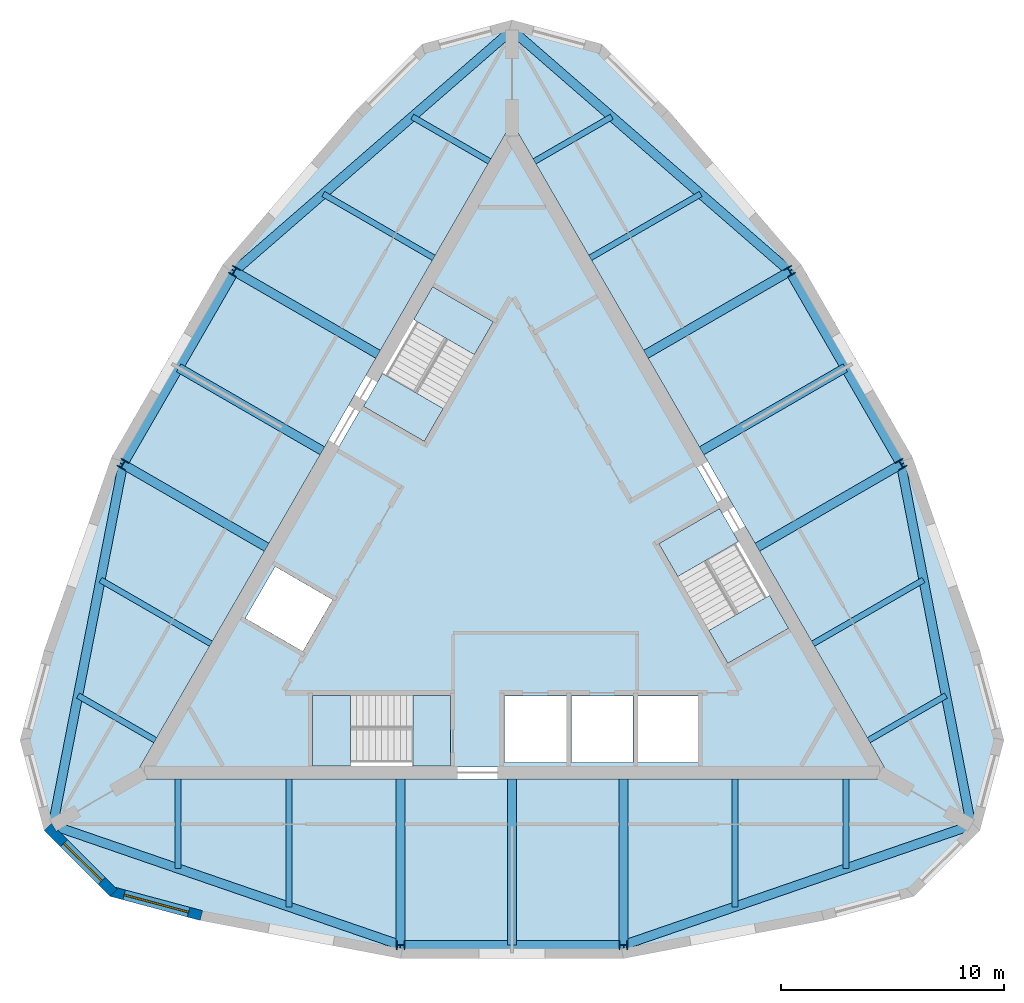
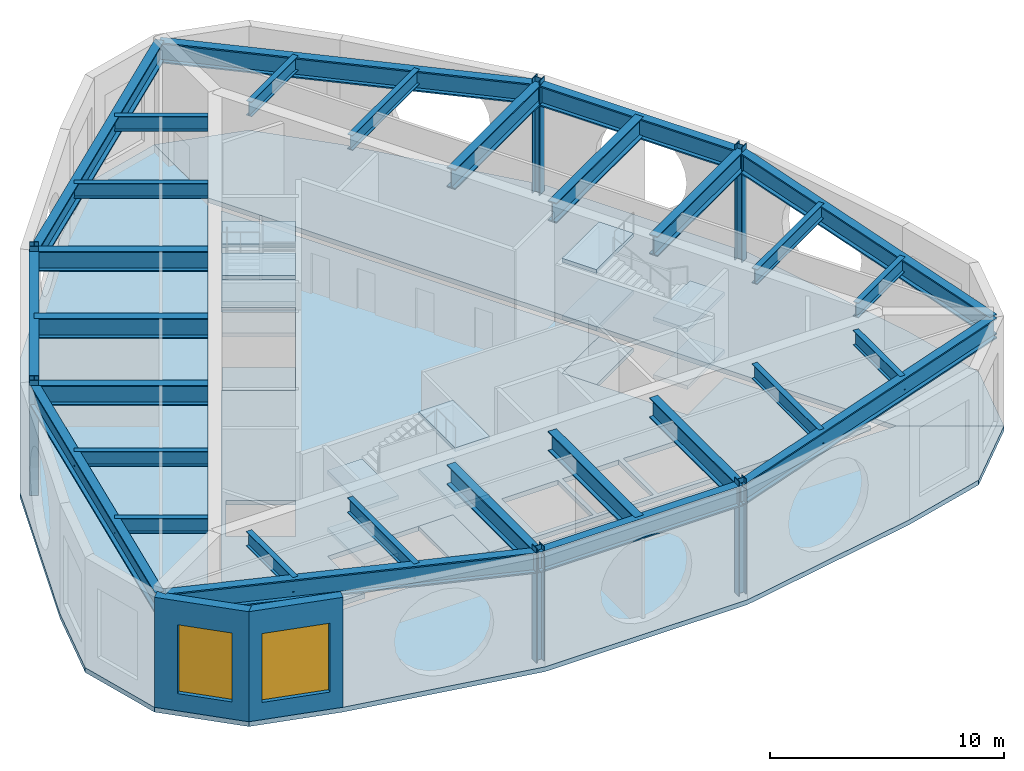
# One storey, part 1 of 5: 30 beams, 19 slabs, 6 columns, 2 walls, 2 windows, 2 openings, 3 elements without a shape of their own.
"""IFC4 building model written with IfcOpenShell, lengths in metres."""

from ifc_helpers import new_model, si_unit, direction, frame, frame_2d, origin, origin_2d, place, context, subcontext, project, spatial, polyline, rectangle, i_section, outline, extrude, material, layer, layer_set, material_profile, profile_set, type_object, element, fill, aggregate, save


model = new_model("IFC4")

# Units and contexts
model_context = context("Model", 3, precision=1e-05, world=origin(), true_north=direction((0.0, 1.0)))
body_context = subcontext(model_context, "Body", "Model", "MODEL_VIEW")
ifc_project = project(units=[si_unit("LENGTHUNIT", "METRE"), si_unit("AREAUNIT", "SQUARE_METRE"), si_unit("VOLUMEUNIT", "CUBIC_METRE"), si_unit("PLANEANGLEUNIT", "RADIAN"), si_unit("MASSUNIT", "GRAM", prefix="KILO")], contexts=[model_context])

# Site, building, storey
site_placement = place(None, origin())
site = spatial("IfcSite", under=ifc_project, at=site_placement, CompositionType="ELEMENT")
building_placement = place(site_placement, origin())
building = spatial("IfcBuilding", under=site, at=building_placement, Name="Trikona Tower", CompositionType="ELEMENT")
storey_placement = place(building_placement, frame((0.0, 0.0, 297.800048828125)))
storey = spatial("IfcBuildingStorey", under=building, at=storey_placement, Name="L77", CompositionType="ELEMENT", Elevation=297.800048828125)

# Columns
ifc_material_1 = material(Name="Steel ASTM A992 Grade 50", Category="steel")
ifc_material_profile_1 = material_profile(ifc_material_1, i_section(OverallWidth=0.398681640625, OverallDepth=0.385986328125, WebThickness=0.02099609375, FlangeThickness=0.033203125, at=origin_2d()), Name="W14X176")
ifc_profile_set_1 = profile_set([ifc_material_profile_1], Name="Steel ASTM A992 Grade 50")
column_type = type_object("IfcColumnType", Name="Steel column W14x176", PredefinedType="COLUMN", material=ifc_profile_set_1)
for number, where, z_axis, x_axis, name in (
    (1, (-5.0, -17.27587890625, 0.0), (0.0, 0.0, 1.0), (0.0, -1.0, 0.0), "Column F0m5"),
    (2, (5.0, -17.27587890625, 0.0), (0.0, 0.0, 1.0), (0.0, -1.0, 0.0), "Column F0p5"),
    (3, (17.461181640625, 4.307861328125, 0.0), (0.0, 0.0, 1.0), (0.866025403784, 0.5, 0.0), "Column F1m5"),
    (4, (12.461181640625, 12.968017578125, 0.0), (0.0, 0.0, 1.0), (0.866025403784, 0.5, 0.0), "Column F1p5"),
    (5, (-12.461181640625, 12.968017578125, 0.0), (0.0, 0.0, 1.0), (-0.866025403784, 0.5, 0.0), "Column F2m5"),
    (6, (-17.461181640625, 4.307861328125, 0.0), (0.0, 0.0, 1.0), (-0.866025403784, 0.5, 0.0), "Column F2p5"),
):
    element("IfcColumn", number, at=place(storey_placement, frame(where, z_axis=z_axis, x_axis=x_axis)), inside=storey, type_object=column_type, Name=name, PredefinedType="COLUMN", context=body_context, shape_type="SweptSolid", body=[
        extrude(i_section(OverallWidth=0.398681640625, OverallDepth=0.385986328125, WebThickness=0.02099609375, FlangeThickness=0.033203125, at=origin_2d()), origin(), (0.0, 0.0, 1.0), 6.0),
    ])

# Beams
ifc_material_2 = material(Name="Steel ASTM A992 Grade 50", Category="steel")
ifc_material_profile_2 = material_profile(ifc_material_2, i_section(OverallWidth=0.2666015625, OverallDepth=0.76953125, WebThickness=0.015625, FlangeThickness=0.025390625, at=origin_2d()), Name="W30X132")
ifc_profile_set_2 = profile_set([ifc_material_profile_2], Name="Steel ASTM A992 Grade 50")
beam_type_1 = type_object("IfcBeamType", Name="Steel beam W30x132 (wedge)", PredefinedType="BEAM", material=ifc_profile_set_2)
beam_1_placement = place(storey_placement, frame((-15.0, -9.826416015625, 5.365234375), z_axis=(0.0, -1.0, 0.0), x_axis=(1.0, 0.0, 0.0)))
element("IfcBeam", 7, at=beam_1_placement, inside=storey, type_object=beam_type_1, Name="Floor beam RF F1 u-15", PredefinedType="BEAM", context=body_context, shape_type="SweptSolid", body=[
    extrude(i_section(OverallWidth=0.2666015625, OverallDepth=0.76953125, WebThickness=0.015625, FlangeThickness=0.025390625, at=origin_2d()), origin(), (0.0, 0.0, 1.0), 4.005126953125),
])
for number, where, z_axis, x_axis, name in (
    (8, (-10.0, -9.826416015625, 5.365234375), (0.0, -1.0, 0.0), (1.0, 0.0, 0.0), "Floor beam RF F1 u-10"),
    (9, (10.0, -9.826416015625, 5.365234375), (0.0, -1.0, 0.0), (1.0, 0.0, 0.0), "Floor beam RF F1 u10"),
):
    element("IfcBeam", number, at=place(storey_placement, frame(where, z_axis=z_axis, x_axis=x_axis)), inside=storey, type_object=beam_type_1, Name=name, PredefinedType="BEAM", context=body_context, shape_type="SweptSolid", body=[
        extrude(i_section(OverallWidth=0.2666015625, OverallDepth=0.76953125, WebThickness=0.015625, FlangeThickness=0.025390625, at=origin_2d()), origin(), (0.0, 0.0, 1.0), 5.727294921875),
    ])
beam_2_placement = place(storey_placement, frame((15.0, -9.826416015625, 5.365234375), z_axis=(0.0, -1.0, 0.0), x_axis=(1.0, 0.0, 0.0)))
element("IfcBeam", 10, at=beam_2_placement, inside=storey, type_object=beam_type_1, Name="Floor beam RF F1 u15", PredefinedType="BEAM", context=body_context, shape_type="SweptSolid", body=[
    extrude(i_section(OverallWidth=0.2666015625, OverallDepth=0.76953125, WebThickness=0.015625, FlangeThickness=0.025390625, at=origin_2d()), origin(), (0.0, 0.0, 1.0), 4.005126953125),
])
beam_3_placement = place(storey_placement, frame((16.009765625, -8.077392578125, 5.365234375), z_axis=(0.866025209122, 0.500000337164, 0.0), x_axis=(-0.500000337164, 0.866025209122, 0.0)))
element("IfcBeam", 11, at=beam_3_placement, inside=storey, type_object=beam_type_1, Name="Floor beam RF F2 u-15", PredefinedType="BEAM", context=body_context, shape_type="SweptSolid", body=[
    extrude(i_section(OverallWidth=0.2666015625, OverallDepth=0.76953125, WebThickness=0.015625, FlangeThickness=0.025390625, at=origin_2d()), origin(), (0.0, 0.0, 1.0), 4.00537109375),
])
for number, where, z_axis, x_axis, name in (
    (12, (13.509765625, -3.7470703125, 5.365234375), (0.866025872957, 0.499999187369, 0.0), (-0.499999187369, 0.866025872957, 0.0), "Floor beam RF F2 u-10"),
    (13, (3.509765625, 13.573486328125, 5.365234375), (0.866044330199, 0.499967217055, 0.0), (-0.499967217055, 0.866044330199, 0.0), "Floor beam RF F2 u10"),
):
    element("IfcBeam", number, at=place(storey_placement, frame(where, z_axis=z_axis, x_axis=x_axis)), inside=storey, type_object=beam_type_1, Name=name, PredefinedType="BEAM", context=body_context, shape_type="SweptSolid", body=[
        extrude(i_section(OverallWidth=0.2666015625, OverallDepth=0.76953125, WebThickness=0.015625, FlangeThickness=0.025390625, at=origin_2d()), origin(), (0.0, 0.0, 1.0), 5.7275390625),
    ])
for number, where, z_axis, x_axis, name in (
    (14, (1.009765625, 17.903564453125, 5.365234375), (0.866025209122, 0.500000337164, 0.0), (-0.500000337164, 0.866025209122, 0.0), "Floor beam RF F2 u15"),
    (15, (-1.009765625, 17.903564453125, 5.365234375), (-0.866025209122, 0.500000337164, 0.0), (-0.500000337164, -0.866025209122, 0.0), "Floor beam RF F3 u-15"),
):
    element("IfcBeam", number, at=place(storey_placement, frame(where, z_axis=z_axis, x_axis=x_axis)), inside=storey, type_object=beam_type_1, Name=name, PredefinedType="BEAM", context=body_context, shape_type="SweptSolid", body=[
        extrude(i_section(OverallWidth=0.2666015625, OverallDepth=0.76953125, WebThickness=0.015625, FlangeThickness=0.025390625, at=origin_2d()), origin(), (0.0, 0.0, 1.0), 4.00537109375),
    ])
for number, where, z_axis, x_axis, name in (
    (16, (-3.509765625, 13.573486328125, 5.365234375), (-0.866044330199, 0.499967217055, 0.0), (-0.499967217055, -0.866044330199, 0.0), "Floor beam RF F3 u-10"),
    (17, (-13.509765625, -3.7470703125, 5.365234375), (-0.866025872957, 0.499999187369, 0.0), (-0.499999187369, -0.866025872957, 0.0), "Floor beam RF F3 u10"),
):
    element("IfcBeam", number, at=place(storey_placement, frame(where, z_axis=z_axis, x_axis=x_axis)), inside=storey, type_object=beam_type_1, Name=name, PredefinedType="BEAM", context=body_context, shape_type="SweptSolid", body=[
        extrude(i_section(OverallWidth=0.2666015625, OverallDepth=0.76953125, WebThickness=0.015625, FlangeThickness=0.025390625, at=origin_2d()), origin(), (0.0, 0.0, 1.0), 5.7275390625),
    ])
beam_4_placement = place(storey_placement, frame((-16.009765625, -8.077392578125, 5.365234375), z_axis=(-0.866025209122, 0.500000337164, 0.0), x_axis=(-0.500000337164, -0.866025209122, 0.0)))
element("IfcBeam", 18, at=beam_4_placement, inside=storey, type_object=beam_type_1, Name="Floor beam RF F3 u15", PredefinedType="BEAM", context=body_context, shape_type="SweptSolid", body=[
    extrude(i_section(OverallWidth=0.2666015625, OverallDepth=0.76953125, WebThickness=0.015625, FlangeThickness=0.025390625, at=origin_2d()), origin(), (0.0, 0.0, 1.0), 4.00537109375),
])
ifc_material_3 = material(Name="Steel ASTM A992 Grade 50", Category="steel")
ifc_material_profile_3 = material_profile(ifc_material_3, i_section(OverallWidth=0.408935546875, OverallDepth=1.04150390625, WebThickness=0.031005859375, FlangeThickness=0.055908203125, at=origin_2d()), Name="W40X397")
ifc_profile_set_3 = profile_set([ifc_material_profile_3], Name="Steel ASTM A992 Grade 50")
beam_type_2 = type_object("IfcBeamType", Name="Steel beam W40x397 (plant)", PredefinedType="BEAM", material=ifc_profile_set_3)
for number, where, z_axis, x_axis, name in (
    (19, (-5.0, -9.826416015625, 5.229248046875), (0.0, -1.0, 0.0), (1.0, 0.0, 0.0), "Floor beam RF F1 u-5"),
    (20, (0.0, -9.826416015625, 5.229248046875), (0.0, -1.0, 0.0), (1.0, 0.0, 0.0), "Floor beam RF F1 u0"),
    (21, (5.0, -9.826416015625, 5.229248046875), (0.0, -1.0, 0.0), (1.0, 0.0, 0.0), "Floor beam RF F1 u5"),
    (22, (11.009765625, 0.5830078125, 5.229248046875), (0.866018036629, 0.50001276007, 0.0), (-0.50001276007, 0.866018036629, 0.0), "Floor beam RF F2 u-5"),
    (23, (8.509765625, 4.9130859375, 5.229248046875), (0.866018036629, 0.50001276007, 0.0), (-0.50001276007, 0.866018036629, 0.0), "Floor beam RF F2 u0"),
    (24, (6.009765625, 9.243408203125, 5.229248046875), (0.866032227741, 0.499988180375, 0.0), (-0.499988180375, 0.866032227741, 0.0), "Floor beam RF F2 u5"),
    (25, (-6.009765625, 9.243408203125, 5.229248046875), (-0.866032227741, 0.499988180375, 0.0), (-0.499988180375, -0.866032227741, 0.0), "Floor beam RF F3 u-5"),
    (26, (-8.509765625, 4.9130859375, 5.229248046875), (-0.866018036629, 0.50001276007, 0.0), (-0.50001276007, -0.866018036629, 0.0), "Floor beam RF F3 u0"),
    (27, (-11.009765625, 0.5830078125, 5.229248046875), (-0.866018036629, 0.50001276007, 0.0), (-0.50001276007, -0.866018036629, 0.0), "Floor beam RF F3 u5"),
):
    element("IfcBeam", number, at=place(storey_placement, frame(where, z_axis=z_axis, x_axis=x_axis)), inside=storey, type_object=beam_type_2, Name=name, PredefinedType="BEAM", context=body_context, shape_type="SweptSolid", body=[
        extrude(i_section(OverallWidth=0.408935546875, OverallDepth=1.04150390625, WebThickness=0.031005859375, FlangeThickness=0.055908203125, at=origin_2d()), origin(), (0.0, 0.0, 1.0), 7.449462890625),
    ])
ifc_material_4 = material(Name="Steel ASTM A992 Grade 50", Category="steel")
ifc_material_profile_4 = material_profile(ifc_material_4, i_section(OverallWidth=0.41650390625, OverallDepth=1.0693359375, WebThickness=0.0390625, FlangeThickness=0.070068359375, at=origin_2d()), Name="W40X503")
ifc_profile_set_4 = profile_set([ifc_material_profile_4], Name="Steel ASTM A992 Grade 50")
beam_type_3 = type_object("IfcBeamType", Name="Steel beam W40x503 (crown spandrel)", PredefinedType="SPANDREL", material=ifc_profile_set_4)
beam_5_placement = place(storey_placement, frame((-20.6103515625, -11.8994140625, 5.21533203125), z_axis=(0.945492661054, -0.325643406033, 0.0), x_axis=(0.325643406033, 0.945492661054, 0.0)))
element("IfcBeam", 28, at=beam_5_placement, inside=storey, type_object=beam_type_3, Name="Spandrel beam RF F1-1", PredefinedType="SPANDREL", context=body_context, shape_type="SweptSolid", body=[
    extrude(i_section(OverallWidth=0.41650390625, OverallDepth=1.0693359375, WebThickness=0.0390625, FlangeThickness=0.070068359375, at=origin_2d()), origin(), (0.0, 0.0, 1.0), 16.51025390625),
])
beam_6_placement = place(storey_placement, frame((-5.0, -17.27587890625, 5.21533203125), z_axis=(1.0, 0.0, 0.0), x_axis=(0.0, 1.0, 0.0)))
element("IfcBeam", 29, at=beam_6_placement, inside=storey, type_object=beam_type_3, Name="Spandrel beam RF F1-2", PredefinedType="SPANDREL", context=body_context, shape_type="SweptSolid", body=[
    extrude(i_section(OverallWidth=0.41650390625, OverallDepth=1.0693359375, WebThickness=0.0390625, FlangeThickness=0.070068359375, at=origin_2d()), origin(), (0.0, 0.0, 1.0), 10.0),
])
beam_7_placement = place(storey_placement, frame((5.0, -17.27587890625, 5.21533203125), z_axis=(0.945492661054, 0.325643406033, 0.0), x_axis=(-0.325643406033, 0.945492661054, 0.0)))
element("IfcBeam", 30, at=beam_7_placement, inside=storey, type_object=beam_type_3, Name="Spandrel beam RF F1-3", PredefinedType="SPANDREL", context=body_context, shape_type="SweptSolid", body=[
    extrude(i_section(OverallWidth=0.41650390625, OverallDepth=1.0693359375, WebThickness=0.0390625, FlangeThickness=0.070068359375, at=origin_2d()), origin(), (0.0, 0.0, 1.0), 16.51025390625),
])
beam_8_placement = place(storey_placement, frame((20.6103515625, -11.8994140625, 5.21533203125), z_axis=(-0.190738651496, 0.981640854297, 0.0), x_axis=(-0.981640854297, -0.190738651496, 0.0)))
element("IfcBeam", 31, at=beam_8_placement, inside=storey, type_object=beam_type_3, Name="Spandrel beam RF F2-1", PredefinedType="SPANDREL", context=body_context, shape_type="SweptSolid", body=[
    extrude(i_section(OverallWidth=0.41650390625, OverallDepth=1.0693359375, WebThickness=0.0390625, FlangeThickness=0.070068359375, at=origin_2d()), origin(), (0.0, 0.0, 1.0), 16.510498046875),
])
beam_9_placement = place(storey_placement, frame((17.461181640625, 4.307861328125, 5.21533203125), z_axis=(-0.500004234368, 0.866022959057, 0.0), x_axis=(-0.866022959057, -0.500004234368, 0.0)))
element("IfcBeam", 32, at=beam_9_placement, inside=storey, type_object=beam_type_3, Name="Spandrel beam RF F2-2", PredefinedType="SPANDREL", context=body_context, shape_type="SweptSolid", body=[
    extrude(i_section(OverallWidth=0.41650390625, OverallDepth=1.0693359375, WebThickness=0.0390625, FlangeThickness=0.070068359375, at=origin_2d()), origin(), (0.0, 0.0, 1.0), 10.0),
])
for number, where, z_axis, x_axis, name in (
    (33, (12.461181640625, 12.968017578125, 5.21533203125), (-0.754762765652, 0.655997841144, 0.0), (-0.655997841144, -0.754762765652, 0.0), "Spandrel beam RF F2-3"),
    (34, (0.0, 23.798583984375, 5.21533203125), (-0.754762765652, -0.655997841144, 0.0), (0.655997841144, -0.754762765652, 0.0), "Spandrel beam RF F3-1"),
):
    element("IfcBeam", number, at=place(storey_placement, frame(where, z_axis=z_axis, x_axis=x_axis)), inside=storey, type_object=beam_type_3, Name=name, PredefinedType="SPANDREL", context=body_context, shape_type="SweptSolid", body=[
        extrude(i_section(OverallWidth=0.41650390625, OverallDepth=1.0693359375, WebThickness=0.0390625, FlangeThickness=0.070068359375, at=origin_2d()), origin(), (0.0, 0.0, 1.0), 16.510009765625),
    ])
beam_10_placement = place(storey_placement, frame((-12.461181640625, 12.968017578125, 5.21533203125), z_axis=(-0.500004234368, -0.866022959057, 0.0), x_axis=(0.866022959057, -0.500004234368, 0.0)))
element("IfcBeam", 35, at=beam_10_placement, inside=storey, type_object=beam_type_3, Name="Spandrel beam RF F3-2", PredefinedType="SPANDREL", context=body_context, shape_type="SweptSolid", body=[
    extrude(i_section(OverallWidth=0.41650390625, OverallDepth=1.0693359375, WebThickness=0.0390625, FlangeThickness=0.070068359375, at=origin_2d()), origin(), (0.0, 0.0, 1.0), 10.0),
])
beam_11_placement = place(storey_placement, frame((-17.461181640625, 4.307861328125, 5.21533203125), z_axis=(-0.190738651496, -0.981640854297, 0.0), x_axis=(0.981640854297, -0.190738651496, 0.0)))
element("IfcBeam", 36, at=beam_11_placement, inside=storey, type_object=beam_type_3, Name="Spandrel beam RF F3-3", PredefinedType="SPANDREL", context=body_context, shape_type="SweptSolid", body=[
    extrude(i_section(OverallWidth=0.41650390625, OverallDepth=1.0693359375, WebThickness=0.0390625, FlangeThickness=0.070068359375, at=origin_2d()), origin(), (0.0, 0.0, 1.0), 16.510498046875),
])

# Slabs
ifc_material_5 = material(Name="Concrete f'c 5000 psi lightweight on composite steel deck", Category="concrete")
ifc_layer_1 = layer(ifc_material_5, 0.25)
ifc_layer_set_1 = layer_set([ifc_layer_1], Name="Composite floor slab 250")
slab_type_1 = type_object("IfcSlabType", Name="Composite floor slab 250", PredefinedType="FLOOR", material=ifc_layer_set_1)
slab_1_placement = place(storey_placement, frame((0.0, 0.0, -0.25)))
element("IfcSlab", 37, at=slab_1_placement, inside=storey, type_object=slab_type_1, Name="Floor slab L77 core", PredefinedType="FLOOR", context=body_context, shape_type="SweptSolid", body=[
    extrude(outline(polyline([(-16.06689453125, -9.2763671875), (-8.949951171875, -9.2763671875), (-8.949951171875, -6.076416015625), (-2.75, -6.076416015625), (-2.75, -9.2763671875), (16.06689453125, -9.2763671875), (12.45849609375, -3.026123046875), (9.687255859375, -4.626220703125), (6.587158203125, 0.7431640625), (9.3583984375, 2.34326171875), (0.0, 18.552490234375), (-3.6083984375, 12.302490234375), (-0.837158203125, 10.702392578125), (-3.937255859375, 5.3330078125), (-6.70849609375, 6.93310546875), (-16.06689453125, -9.2763671875)]), holes=[polyline([(5.659912109375, -9.06640625), (8.340087890625, -9.06640625), (8.340087890625, -6.086181640625), (5.659912109375, -6.086181640625), (5.659912109375, -9.06640625)]), polyline([(5.43994140625, -9.06640625), (5.43994140625, -6.086181640625), (2.659912109375, -6.086181640625), (2.659912109375, -9.06640625), (5.43994140625, -9.06640625)]), polyline([(2.43994140625, -6.086181640625), (-0.340087890625, -6.086181640625), (-0.340087890625, -9.06640625), (2.43994140625, -9.06640625), (2.43994140625, -6.086181640625)]), polyline([(-11.9716796875, -2.602783203125), (-9.390869140625, -4.093017578125), (-8.05078125, -1.77197265625), (-10.631591796875, -0.281982421875), (-11.9716796875, -2.602783203125)])]), origin(), (0.0, 0.0, 1.0), 0.25),
])
slab_2_placement = place(storey_placement, frame((0.0, 0.0, -0.25)))
element("IfcSlab", 38, at=slab_2_placement, inside=storey, type_object=slab_type_1, Name="Floor slab L77 south", PredefinedType="FLOOR", context=body_context, shape_type="SweptSolid", body=[
    extrude(outline(polyline([(21.0, -12.12451171875), (17.01953125, -9.826416015625), (-17.01953125, -9.826416015625), (-21.0, -12.12451171875), (-18.04150390625, -15.0830078125), (-14.0, -16.165771484375), (-5.0, -17.875732421875), (5.0, -17.875732421875), (14.0, -16.165771484375), (18.04150390625, -15.0830078125), (21.0, -12.12451171875)])), origin(), (0.0, 0.0, 1.0), 0.25),
])
slab_3_placement = place(storey_placement, frame((0.0, 0.0, -0.25)))
element("IfcSlab", 39, at=slab_3_placement, inside=storey, type_object=slab_type_1, Name="Floor slab L77 north-east", PredefinedType="FLOOR", context=body_context, shape_type="SweptSolid", body=[
    extrude(outline(polyline([(4.04150390625, 23.165771484375), (0.0, 24.248779296875), (0.0, 19.652587890625), (17.01953125, -9.826416015625), (21.0, -12.12451171875), (22.0830078125, -8.0830078125), (21.0, -4.04150390625), (17.98095703125, 4.60791015625), (12.98095703125, 13.26806640625), (7.0, 20.207275390625), (4.04150390625, 23.165771484375)])), origin(), (0.0, 0.0, 1.0), 0.25),
])
slab_4_placement = place(storey_placement, frame((0.0, 0.0, -0.25)))
element("IfcSlab", 40, at=slab_4_placement, inside=storey, type_object=slab_type_1, Name="Floor slab L77 north-west", PredefinedType="FLOOR", context=body_context, shape_type="SweptSolid", body=[
    extrude(outline(polyline([(0.0, 19.652587890625), (0.0, 24.248779296875), (-4.04150390625, 23.165771484375), (-7.0, 20.207275390625), (-12.98095703125, 13.26806640625), (-17.98095703125, 4.60791015625), (-21.0, -4.04150390625), (-22.0830078125, -8.0830078125), (-21.0, -12.12451171875), (-17.01953125, -9.826416015625), (0.0, 19.652587890625)])), origin(), (0.0, 0.0, 1.0), 0.25),
])

# Stair, slabs
ifc_material_6 = material(Name="Concrete f'c 5000 psi", Category="concrete")
stair_type = type_object("IfcStairType", Name="Core stair", PredefinedType="HALF_TURN_STAIR", material=ifc_material_6)
stair_1_placement = place(storey_placement, origin())
stair_1 = element("IfcStair", 41, at=stair_1_placement, inside=storey, type_object=stair_type, Name="Stair A L77", PredefinedType="HALF_TURN_STAIR")
ifc_material_7 = material(Name="Concrete f'c 5000 psi", Category="concrete")
ifc_layer_2 = layer(ifc_material_7, 0.199951171875)
ifc_layer_set_2 = layer_set([ifc_layer_2], Name="Stair landing 200")
slab_type_2 = type_object("IfcSlabType", Name="Stair landing 200", PredefinedType="LANDING", material=ifc_layer_set_2)
slab_5_placement = place(storey_placement, frame((0.0, 0.0, -0.199951171875)))
slab_5 = element("IfcSlab", 42, at=slab_5_placement, type_object=slab_type_2, Name="ST-A landing 1", PredefinedType="LANDING", context=body_context, shape_type="SweptSolid", body=[
    extrude(outline(polyline([(-4.452880859375, -6.076416015625), (-2.75, -6.076416015625), (-2.75, -9.226318359375), (-4.452880859375, -9.226318359375), (-4.452880859375, -6.076416015625)])), origin(), (0.0, 0.0, 1.0), 0.199951171875),
])
slab_6_placement = place(storey_placement, frame((0.0, 0.0, 1.300048828125)))
slab_6 = element("IfcSlab", 43, at=slab_6_placement, type_object=slab_type_2, Name="ST-A landing 2", PredefinedType="LANDING", context=body_context, shape_type="SweptSolid", body=[
    extrude(outline(polyline([(-8.949951171875, -6.076416015625), (-7.2470703125, -6.076416015625), (-7.2470703125, -9.226318359375), (-8.949951171875, -9.226318359375), (-8.949951171875, -6.076416015625)])), origin(), (0.0, 0.0, 1.0), 0.199951171875),
])
slab_7_placement = place(storey_placement, frame((0.0, 0.0, 2.800048828125)))
slab_7 = element("IfcSlab", 44, at=slab_7_placement, type_object=slab_type_2, Name="ST-A landing 3", PredefinedType="LANDING", context=body_context, shape_type="SweptSolid", body=[
    extrude(outline(polyline([(-4.452880859375, -6.076416015625), (-2.75, -6.076416015625), (-2.75, -9.226318359375), (-4.452880859375, -9.226318359375), (-4.452880859375, -6.076416015625)])), origin(), (0.0, 0.0, 1.0), 0.199951171875),
])
slab_8_placement = place(storey_placement, frame((0.0, 0.0, 4.300048828125)))
slab_8 = element("IfcSlab", 45, at=slab_8_placement, type_object=slab_type_2, Name="ST-A landing 4", PredefinedType="LANDING", context=body_context, shape_type="SweptSolid", body=[
    extrude(outline(polyline([(-8.949951171875, -6.076416015625), (-7.2470703125, -6.076416015625), (-7.2470703125, -9.226318359375), (-8.949951171875, -9.226318359375), (-8.949951171875, -6.076416015625)])), origin(), (0.0, 0.0, 1.0), 0.199951171875),
])
slab_9_placement = place(storey_placement, frame((0.0, 0.0, 5.800048828125)))
slab_9 = element("IfcSlab", 46, at=slab_9_placement, type_object=slab_type_2, Name="ST-A landing 5", PredefinedType="LANDING", context=body_context, shape_type="SweptSolid", body=[
    extrude(outline(polyline([(-4.452880859375, -6.076416015625), (-2.75, -6.076416015625), (-2.75, -9.226318359375), (-4.452880859375, -9.226318359375), (-4.452880859375, -6.076416015625)])), origin(), (0.0, 0.0, 1.0), 0.199951171875),
])
aggregate(stair_1, [slab_5, slab_6, slab_7, slab_8, slab_9])

stair_2_placement = place(storey_placement, origin())
stair_2 = element("IfcStair", 47, at=stair_2_placement, inside=storey, type_object=stair_type, Name="Stair B L77", PredefinedType="HALF_TURN_STAIR")
slab_10_placement = place(storey_placement, frame((0.0, 0.0, -0.199951171875)))
slab_10 = element("IfcSlab", 48, at=slab_10_placement, type_object=slab_type_2, Name="ST-B landing 1", PredefinedType="LANDING", context=body_context, shape_type="SweptSolid", body=[
    extrude(outline(polyline([(7.438720703125, -0.731689453125), (6.587158203125, 0.7431640625), (9.315185546875, 2.318115234375), (10.166748046875, 0.84326171875), (7.438720703125, -0.731689453125)])), origin(), (0.0, 0.0, 1.0), 0.199951171875),
])
slab_11_placement = place(storey_placement, frame((0.0, 0.0, 1.300048828125)))
slab_11 = element("IfcSlab", 49, at=slab_11_placement, type_object=slab_type_2, Name="ST-B landing 2", PredefinedType="LANDING", context=body_context, shape_type="SweptSolid", body=[
    extrude(outline(polyline([(9.687255859375, -4.626220703125), (8.835693359375, -3.1513671875), (11.563720703125, -1.576416015625), (12.415283203125, -3.05126953125), (9.687255859375, -4.626220703125)])), origin(), (0.0, 0.0, 1.0), 0.199951171875),
])
slab_12_placement = place(storey_placement, frame((0.0, 0.0, 2.800048828125)))
slab_12 = element("IfcSlab", 50, at=slab_12_placement, type_object=slab_type_2, Name="ST-B landing 3", PredefinedType="LANDING", context=body_context, shape_type="SweptSolid", body=[
    extrude(outline(polyline([(7.438720703125, -0.731689453125), (6.587158203125, 0.7431640625), (9.315185546875, 2.318115234375), (10.166748046875, 0.84326171875), (7.438720703125, -0.731689453125)])), origin(), (0.0, 0.0, 1.0), 0.199951171875),
])
slab_13_placement = place(storey_placement, frame((0.0, 0.0, 4.300048828125)))
slab_13 = element("IfcSlab", 51, at=slab_13_placement, type_object=slab_type_2, Name="ST-B landing 4", PredefinedType="LANDING", context=body_context, shape_type="SweptSolid", body=[
    extrude(outline(polyline([(9.687255859375, -4.626220703125), (8.835693359375, -3.1513671875), (11.563720703125, -1.576416015625), (12.415283203125, -3.05126953125), (9.687255859375, -4.626220703125)])), origin(), (0.0, 0.0, 1.0), 0.199951171875),
])
slab_14_placement = place(storey_placement, frame((0.0, 0.0, 5.800048828125)))
slab_14 = element("IfcSlab", 52, at=slab_14_placement, type_object=slab_type_2, Name="ST-B landing 5", PredefinedType="LANDING", context=body_context, shape_type="SweptSolid", body=[
    extrude(outline(polyline([(7.438720703125, -0.731689453125), (6.587158203125, 0.7431640625), (9.315185546875, 2.318115234375), (10.166748046875, 0.84326171875), (7.438720703125, -0.731689453125)])), origin(), (0.0, 0.0, 1.0), 0.199951171875),
])
aggregate(stair_2, [slab_10, slab_11, slab_12, slab_13, slab_14])

stair_3_placement = place(storey_placement, origin())
stair_3 = element("IfcStair", 53, at=stair_3_placement, inside=storey, type_object=stair_type, Name="Stair C L77", PredefinedType="HALF_TURN_STAIR")
slab_15_placement = place(storey_placement, frame((0.0, 0.0, -0.199951171875)))
slab_15 = element("IfcSlab", 54, at=slab_15_placement, type_object=slab_type_2, Name="ST-C landing 1", PredefinedType="LANDING", context=body_context, shape_type="SweptSolid", body=[
    extrude(outline(polyline([(-3.085693359375, 6.807861328125), (-3.937255859375, 5.3330078125), (-6.665283203125, 6.908203125), (-5.813720703125, 8.3828125), (-3.085693359375, 6.807861328125)])), origin(), (0.0, 0.0, 1.0), 0.199951171875),
])
slab_16_placement = place(storey_placement, frame((0.0, 0.0, 1.300048828125)))
slab_16 = element("IfcSlab", 55, at=slab_16_placement, type_object=slab_type_2, Name="ST-C landing 2", PredefinedType="LANDING", context=body_context, shape_type="SweptSolid", body=[
    extrude(outline(polyline([(-0.837158203125, 10.702392578125), (-1.688720703125, 9.2275390625), (-4.416748046875, 10.802490234375), (-3.565185546875, 12.277587890625), (-0.837158203125, 10.702392578125)])), origin(), (0.0, 0.0, 1.0), 0.199951171875),
])
slab_17_placement = place(storey_placement, frame((0.0, 0.0, 2.800048828125)))
slab_17 = element("IfcSlab", 56, at=slab_17_placement, type_object=slab_type_2, Name="ST-C landing 3", PredefinedType="LANDING", context=body_context, shape_type="SweptSolid", body=[
    extrude(outline(polyline([(-3.085693359375, 6.807861328125), (-3.937255859375, 5.3330078125), (-6.665283203125, 6.908203125), (-5.813720703125, 8.3828125), (-3.085693359375, 6.807861328125)])), origin(), (0.0, 0.0, 1.0), 0.199951171875),
])
slab_18_placement = place(storey_placement, frame((0.0, 0.0, 4.300048828125)))
slab_18 = element("IfcSlab", 57, at=slab_18_placement, type_object=slab_type_2, Name="ST-C landing 4", PredefinedType="LANDING", context=body_context, shape_type="SweptSolid", body=[
    extrude(outline(polyline([(-0.837158203125, 10.702392578125), (-1.688720703125, 9.2275390625), (-4.416748046875, 10.802490234375), (-3.565185546875, 12.277587890625), (-0.837158203125, 10.702392578125)])), origin(), (0.0, 0.0, 1.0), 0.199951171875),
])
slab_19_placement = place(storey_placement, frame((0.0, 0.0, 5.800048828125)))
slab_19 = element("IfcSlab", 58, at=slab_19_placement, type_object=slab_type_2, Name="ST-C landing 5", PredefinedType="LANDING", context=body_context, shape_type="SweptSolid", body=[
    extrude(outline(polyline([(-3.085693359375, 6.807861328125), (-3.937255859375, 5.3330078125), (-6.665283203125, 6.908203125), (-5.813720703125, 8.3828125), (-3.085693359375, 6.807861328125)])), origin(), (0.0, 0.0, 1.0), 0.199951171875),
])
aggregate(stair_3, [slab_15, slab_16, slab_17, slab_18, slab_19])

# Wall, opening, window
ifc_material_8 = material(Name="Brick-faced precast concrete", Category="masonry")
ifc_layer_3 = layer(ifc_material_8, 0.449951171875)
ifc_layer_set_3 = layer_set([ifc_layer_3], Name="Brick-faced corner wall 450")
wall_type = type_object("IfcWallType", Name="Brick-faced corner wall 450", PredefinedType="SOLIDWALL", material=ifc_layer_set_3)
wall_1_placement = place(storey_placement, frame((-20.8408203125, -11.96533203125, 0.0), z_axis=(0.0, 0.0, 1.0), x_axis=(0.707106781187, -0.707106781187, 0.0)))
wall_1 = element("IfcWall", 59, at=wall_1_placement, inside=storey, type_object=wall_type, Name="External wall L77-19", PredefinedType="SOLIDWALL", context=body_context, shape_type="SweptSolid", body=[
    extrude(outline(polyline([(4.183837890625, 0.22509765625), (0.43115234375, 0.22509765625), (0.40625, 0.132080078125), (0.05908203125, 0.22509765625), (0.0, 0.22509765625), (0.0, -0.22509765625), (4.183837890625, -0.22509765625), (4.183837890625, 0.22509765625)])), origin(), (0.0, 0.0, 1.0), 5.75),
])
opening_1_placement = place(wall_1_placement, frame((1.032470703125, 0.0, 0.89990234375)))
opening_1 = element("IfcOpeningElement", 60, at=opening_1_placement, cuts=wall_1, Name="Opening W2436", PredefinedType="OPENING", context=body_context, shape_type="SweptSolid", body=[
    extrude(rectangle(XDim=2.39990234375, YDim=3.60009765625, at=frame_2d((1.199951171875, 1.800048828125))), frame((0.0, 0.23486328125, 0.0), z_axis=(0.0, -1.0, 0.0), x_axis=(1.0, 0.0, 0.0)), (0.0, 0.0, 1.0), 0.469970703125),
])
ifc_material_9 = material(Name="Aluminium-framed double glazing", Category="aluminium")
window_type_1 = type_object("IfcWindowType", Name="Window 2400x3600", PartitioningType="SINGLE_PANEL", PredefinedType="WINDOW", material=ifc_material_9)
window_1_placement = place(opening_1_placement, origin())
window_1 = element("IfcWindow", 61, at=window_1_placement, inside=storey, type_object=window_type_1, Name="Window L77-PFR", OverallHeight=3.60009765625, OverallWidth=2.39990234375, PartitioningType="SINGLE_PANEL", PredefinedType="WINDOW", context=body_context, shape_type="SweptSolid", body=[
    extrude(rectangle(XDim=2.39990234375, YDim=3.60009765625, at=frame_2d((1.199951171875, 1.800048828125))), frame((0.0, 0.030029296875, 0.0), z_axis=(0.0, -1.0, 0.0), x_axis=(1.0, 0.0, 0.0)), (0.0, 0.0, 1.0), 0.06005859375),
])
fill(opening_1, window_1)

wall_2_placement = place(storey_placement, frame((-17.9833984375, -14.865478515625, 0.0), z_axis=(0.0, 0.0, 1.0), x_axis=(0.965920442324, -0.258839137498, 0.0)))
wall_2 = element("IfcWall", 62, at=wall_2_placement, inside=storey, type_object=wall_type, Name="External wall L77-20", PredefinedType="SOLIDWALL", context=body_context, shape_type="SweptSolid", body=[
    extrude(rectangle(XDim=4.18408203125, YDim=0.449951171875, at=frame_2d((2.092041015625, 0.0))), origin(), (0.0, 0.0, 1.0), 5.75),
])
opening_2_placement = place(wall_2_placement, frame((0.592041015625, 0.0, 0.89990234375)))
opening_2 = element("IfcOpeningElement", 63, at=opening_2_placement, cuts=wall_2, Name="Opening W3036", PredefinedType="OPENING", context=body_context, shape_type="SweptSolid", body=[
    extrude(rectangle(XDim=3.0, YDim=3.60009765625, at=frame_2d((1.5, 1.800048828125))), frame((0.0, 0.23486328125, 0.0), z_axis=(0.0, -1.0, 0.0), x_axis=(1.0, 0.0, 0.0)), (0.0, 0.0, 1.0), 0.469970703125),
])
ifc_material_10 = material(Name="Aluminium-framed double glazing", Category="aluminium")
window_type_2 = type_object("IfcWindowType", Name="Window 3000x3600", PartitioningType="SINGLE_PANEL", PredefinedType="WINDOW", material=ifc_material_10)
window_2_placement = place(opening_2_placement, origin())
window_2 = element("IfcWindow", 64, at=window_2_placement, inside=storey, type_object=window_type_2, Name="Window L77-PFR", OverallHeight=3.60009765625, OverallWidth=3.0, PartitioningType="SINGLE_PANEL", PredefinedType="WINDOW", context=body_context, shape_type="SweptSolid", body=[
    extrude(rectangle(XDim=3.0, YDim=3.60009765625, at=frame_2d((1.5, 1.800048828125))), frame((0.0, 0.030029296875, 0.0), z_axis=(0.0, -1.0, 0.0), x_axis=(1.0, 0.0, 0.0)), (0.0, 0.0, 1.0), 0.06005859375),
])
fill(opening_2, window_2)

save(model, "model.ifc")
